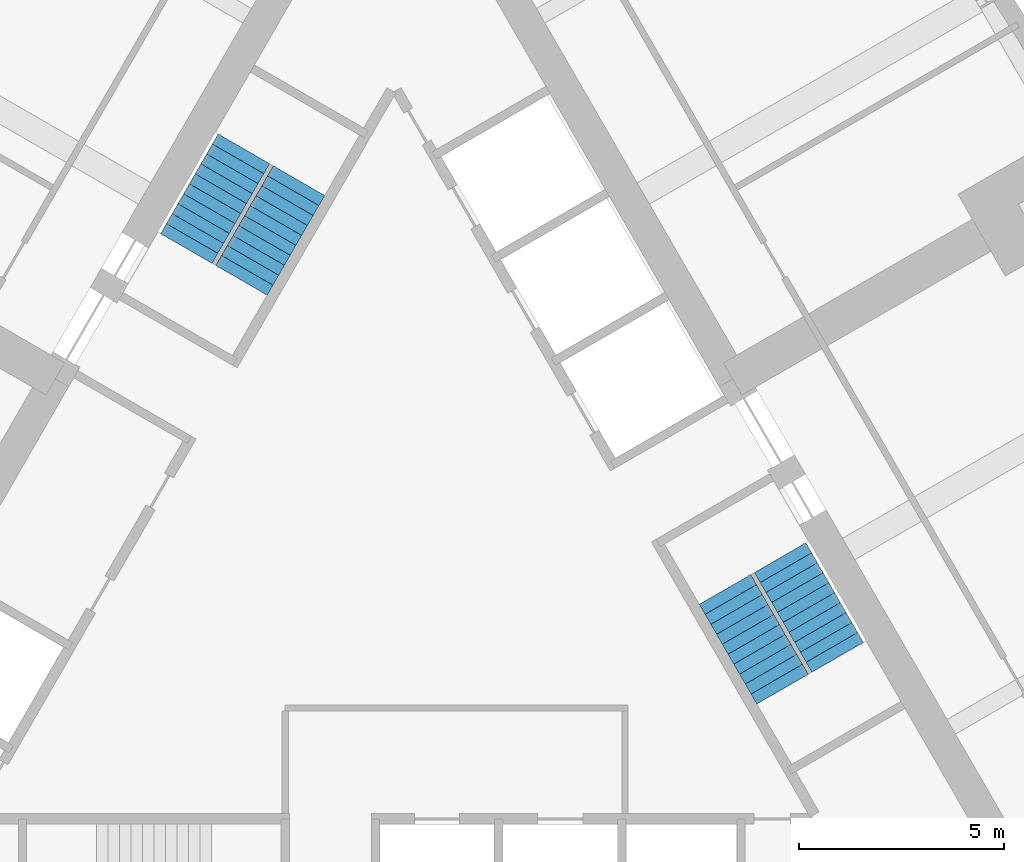
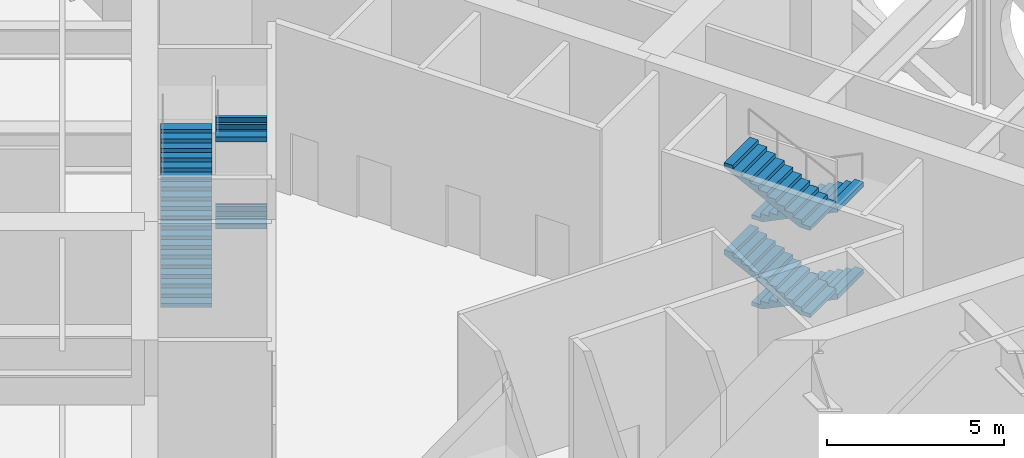
# One storey, part 6 of 7: 8 stair flights, 2 elements without a shape of their own.
"""IFC4 building model written with IfcOpenShell, lengths in metres."""

import ifcopenshell
import ifcopenshell.guid

model = None  # the IFC model being written
_history = None  # IfcOwnerHistory: only IFC2X3 demands one
_inside = {}  # id of a spatial element -> (the spatial element, [elements in it])
_under = {}  # id of a project, library or spatial element -> (it, [spatial elements below it])
_declared = {}  # id of a project -> (the project, [libraries it declares])
_typed = {}  # id of a type object -> (the type object, [elements of that type])
_made_of = {}  # id of a material, layer set ... -> (it, [elements and type objects made of it])


def new_model(schema):
    """Start an empty IFC model of exactly this schema.

    Asked for "IFC4X3", IfcOpenShell would pick the latest addendum, in which some entities
    have other attributes; the version numbers below select the first issue.
    IFC2X3 requires an IfcOwnerHistory on every rooted entity: one is made here for all.
    """
    global model, _history
    if schema == "IFC4X3":
        model = ifcopenshell.file(schema_version=(4, 3, 0, 0))
    else:
        model = ifcopenshell.file(schema=schema)
    _inside.clear()
    _under.clear()
    _declared.clear()
    _typed.clear()
    _made_of.clear()
    _history = None
    if model.schema == "IFC2X3":
        org = make("IfcOrganization", Name="unknown")
        user = make(
            "IfcPersonAndOrganization",
            ThePerson=make("IfcPerson", FamilyName="unknown"),
            TheOrganization=org,
        )
        app = make(
            "IfcApplication",
            ApplicationDeveloper=org,
            Version="unknown",
            ApplicationFullName="unknown",
            ApplicationIdentifier="unknown",
        )
        _history = make(
            "IfcOwnerHistory",
            OwningUser=user,
            OwningApplication=app,
            ChangeAction="ADDED",
            CreationDate=0,
        )
    return model


def make(cls, **values):
    """One entity of the class cls with the attributes given. An attribute that is None is left unset."""
    return model.create_entity(
        cls, **{name: value for name, value in values.items() if value is not None}
    )


def rooted(cls, **values):
    """An entity with a GlobalId (a new one), such as an element, a storey or a relation."""
    return make(cls, GlobalId=ifcopenshell.guid.new(), OwnerHistory=_history, **values)


def si_unit(unit_type, name, prefix=None):
    """IfcSIUnit, for example si_unit("LENGTHUNIT", "METRE", prefix="MILLI")."""
    return make("IfcSIUnit", UnitType=unit_type, Prefix=prefix, Name=name)


def assignment(units):
    """IfcUnitAssignment: the units of a project."""
    return None if units is None else make("IfcUnitAssignment", Units=units)


def point(xyz):
    """IfcCartesianPoint."""
    return None if xyz is None else make("IfcCartesianPoint", Coordinates=xyz)


def direction(xyz):
    """IfcDirection."""
    return None if xyz is None else make("IfcDirection", DirectionRatios=xyz)


def frame(location, z_axis=None, x_axis=None):
    """IfcAxis2Placement3D, a coordinate frame: its origin and axes. An axis left out is left unset."""
    return make(
        "IfcAxis2Placement3D",
        Location=point(location),
        Axis=direction(z_axis),
        RefDirection=direction(x_axis),
    )


def origin():
    """The frame at (0, 0, 0) with its axes left unset."""
    return frame((0.0, 0.0, 0.0))


def place(relative_to, where):
    """IfcLocalPlacement: puts the frame where relative to a parent placement (None: the world)."""
    return make(
        "IfcLocalPlacement", PlacementRelTo=relative_to, RelativePlacement=where
    )


def context(
    kind, dimensions, precision=None, world=None, true_north=None, identifier=None
):
    """IfcGeometricRepresentationContext, for example the 3D "Model" context."""
    return make(
        "IfcGeometricRepresentationContext",
        ContextIdentifier=identifier,
        ContextType=kind,
        CoordinateSpaceDimension=dimensions,
        Precision=precision,
        WorldCoordinateSystem=world,
        TrueNorth=true_north,
    )


def subcontext(parent, identifier, kind, view, scale=None):
    """IfcGeometricRepresentationSubContext, for example "Body" below "Model"."""
    return make(
        "IfcGeometricRepresentationSubContext",
        ContextIdentifier=identifier,
        ContextType=kind,
        ParentContext=parent,
        TargetScale=scale,
        TargetView=view,
    )


def project(units=None, contexts=None):
    """IfcProject with its units and contexts."""
    return rooted(
        "IfcProject",
        Name="project",
        RepresentationContexts=contexts,
        UnitsInContext=assignment(units),
    )


def spatial(cls, under=None, at=None, **own):
    """A site, building, storey or space (cls), placed at a placement, below another one or the project."""
    s = rooted(cls, ObjectPlacement=at, **own)
    if under is not None:
        _under.setdefault(under.id(), (under, []))[1].append(s)
    return s


def polyline(points):
    """IfcPolyline through the points."""
    return make("IfcPolyline", Points=[point(p) for p in points])


def outline(outer, holes=None, kind="AREA"):
    """IfcArbitraryClosedProfileDef: a profile drawn as a closed curve; with holes, ...WithVoids."""
    if holes is None:
        return make("IfcArbitraryClosedProfileDef", ProfileType=kind, OuterCurve=outer)
    return make(
        "IfcArbitraryProfileDefWithVoids",
        ProfileType=kind,
        OuterCurve=outer,
        InnerCurves=holes,
    )


def extrude(swept, where, along, depth):
    """IfcExtrudedAreaSolid: the profile swept, set in the frame where, extruded along a direction by depth."""
    return make(
        "IfcExtrudedAreaSolid",
        SweptArea=swept,
        Position=where,
        ExtrudedDirection=direction(along),
        Depth=depth,
    )


def shape(context_of_items, identifier, shape_type, items):
    """IfcShapeRepresentation: the items that make up one representation, for example the "Body"."""
    return make(
        "IfcShapeRepresentation",
        ContextOfItems=context_of_items,
        RepresentationIdentifier=identifier,
        RepresentationType=shape_type,
        Items=items,
    )


def material(Name=None, Category=None):
    """IfcMaterial."""
    return make("IfcMaterial", Name=Name, Category=Category)


def made_of(thing, what):
    """Note that an element or type object is made of a material, layer set ...; save() writes the relation."""
    if what is not None:
        _made_of.setdefault(what.id(), (what, []))[1].append(thing)
    return thing


def type_object(cls, material=None, **own):
    """A type object (cls), such as IfcWallType, which elements share."""
    return made_of(rooted(cls, **own), material)


def element(
    cls,
    number,
    at=None,
    inside=None,
    cuts=None,
    type_object=None,
    material=None,
    context=None,
    identifier="Body",
    shape_type=None,
    held_by="IfcProductDefinitionShape",
    body=None,
    shapes=None,
    **own,
):
    """One element of the class cls, such as IfcWall. Its Tag is "e" and its number.

    at: its placement. inside: the storey or other place that contains it. cuts: it is an
    opening in that element (IfcRelVoidsElement). A single representation is given by context,
    identifier, shape_type and body (its items); several are given by shapes. held_by: the class
    of the entity that holds the representations. save() writes the other relations.
    """
    e = rooted(cls, Tag="e%d" % number, ObjectPlacement=at, **own)
    if body is not None:
        shapes = [shape(context, identifier, shape_type, body)]
    if shapes is not None:
        e.Representation = make(held_by, Representations=shapes)
    if inside is not None:
        _inside.setdefault(inside.id(), (inside, []))[1].append(e)
    if cuts is not None:
        rooted(
            "IfcRelVoidsElement", RelatingBuildingElement=cuts, RelatedOpeningElement=e
        )
    if type_object is not None:
        _typed.setdefault(type_object.id(), (type_object, []))[1].append(e)
    return made_of(e, material)


def aggregate(whole, parts):
    """IfcRelAggregates: a whole, such as a stair, and the parts it consists of."""
    return rooted("IfcRelAggregates", RelatingObject=whole, RelatedObjects=parts)


def save(model, path):
    """Write the relations noted so far, then the file.

    IfcRelAggregates (storeys below a building ...), IfcRelContainedInSpatialStructure (elements
    in a storey), IfcRelDefinesByType, IfcRelAssociatesMaterial and IfcRelDeclares: one each for
    every whole, place, type object, material and project.
    """
    for whole, parts in _under.values():
        aggregate(whole, parts)
    for where, things in _inside.values():
        rooted(
            "IfcRelContainedInSpatialStructure",
            RelatedElements=things,
            RelatingStructure=where,
        )
    for kind, things in _typed.values():
        rooted("IfcRelDefinesByType", RelatedObjects=things, RelatingType=kind)
    for what, things in _made_of.values():
        rooted("IfcRelAssociatesMaterial", RelatedObjects=things, RelatingMaterial=what)
    for by, libraries in _declared.values():
        rooted("IfcRelDeclares", RelatingContext=by, RelatedDefinitions=libraries)
    model.write(path)


model = new_model("IFC4")

# Units and contexts
model_context = context("Model", 3, precision=1e-05, world=origin(), true_north=direction((0.0, 1.0)))
body_context = subcontext(model_context, "Body", "Model", "MODEL_VIEW")
ifc_project = project(units=[si_unit("LENGTHUNIT", "METRE"), si_unit("AREAUNIT", "SQUARE_METRE"), si_unit("VOLUMEUNIT", "CUBIC_METRE"), si_unit("PLANEANGLEUNIT", "RADIAN"), si_unit("MASSUNIT", "GRAM", prefix="KILO")], contexts=[model_context])

# Site, building, storey
site_placement = place(None, origin())
site = spatial("IfcSite", under=ifc_project, at=site_placement, CompositionType="ELEMENT")
building_placement = place(site_placement, origin())
building = spatial("IfcBuilding", under=site, at=building_placement, Name="Trikona Tower", CompositionType="ELEMENT")
storey_placement = place(building_placement, frame((0.0, 0.0, 233.300048828125)))
storey = spatial("IfcBuildingStorey", under=building, at=storey_placement, Name="L62", CompositionType="ELEMENT", Elevation=233.300048828125)

# Stair, stair flights
ifc_material_1 = material(Name="Concrete f'c 5000 psi", Category="concrete")
stair_type = type_object("IfcStairType", Name="Core stair", PredefinedType="HALF_TURN_STAIR", material=ifc_material_1)
stair_1_placement = place(storey_placement, origin())
stair_1 = element("IfcStair", 1, at=stair_1_placement, inside=storey, type_object=stair_type, Name="Stair B L62", PredefinedType="HALF_TURN_STAIR")
ifc_material_2 = material(Name="Concrete f'c 5000 psi", Category="concrete")
stair_flight_type = type_object("IfcStairFlightType", Name="Core stair flight 1450", PredefinedType="STRAIGHT", material=ifc_material_2)
stair_flight_1_placement = place(storey_placement, frame((9.407470703125, 0.408447265625, 0.0), z_axis=(0.0, 0.0, 1.0), x_axis=(0.5, -0.866025403784, 0.0)))
stair_flight_1 = element("IfcStairFlight", 2, at=stair_flight_1_placement, type_object=stair_flight_type, Name="ST-B flight 1", NumberOfRisers=11, NumberOfTreads=10, PredefinedType="STRAIGHT", RiserHeight=0.136364, TreadLength=0.28, context=body_context, shape_type="SweptSolid", body=[
    extrude(outline(polyline([(0.0, 0.0), (0.0, 0.136474609375), (0.280029296875, 0.136474609375), (0.280029296875, 0.272705078125), (0.56005859375, 0.272705078125), (0.56005859375, 0.4091796875), (0.840087890625, 0.4091796875), (0.840087890625, 0.54541015625), (1.1201171875, 0.54541015625), (1.1201171875, 0.681884765625), (1.39990234375, 0.681884765625), (1.39990234375, 0.818115234375), (1.679931640625, 0.818115234375), (1.679931640625, 0.95458984375), (1.9599609375, 0.95458984375), (1.9599609375, 1.0908203125), (2.239990234375, 1.0908203125), (2.239990234375, 1.227294921875), (2.52001953125, 1.227294921875), (2.52001953125, 1.363525390625), (2.800048828125, 1.363525390625), (2.800048828125, 1.5), (2.800048828125, 1.197021484375), (0.34228515625, 0.0), (0.0, 0.0)])), frame((0.0, 0.72509765625, 0.0), z_axis=(0.0, -1.0, 0.0), x_axis=(1.0, 0.0, 0.0)), (0.0, 0.0, 1.0), 1.449951171875),
])
stair_flight_2_placement = place(storey_placement, frame((9.465087890625, -2.79150390625, 1.5), z_axis=(0.0, 0.0, 1.0), x_axis=(-0.5, 0.866025403784, 0.0)))
stair_flight_2 = element("IfcStairFlight", 3, at=stair_flight_2_placement, type_object=stair_flight_type, Name="ST-B flight 2", NumberOfRisers=11, NumberOfTreads=10, PredefinedType="STRAIGHT", RiserHeight=0.136364, TreadLength=0.28, context=body_context, shape_type="SweptSolid", body=[
    extrude(outline(polyline([(0.0, 0.0), (0.0, 0.136474609375), (0.280029296875, 0.136474609375), (0.280029296875, 0.272705078125), (0.56005859375, 0.272705078125), (0.56005859375, 0.4091796875), (0.840087890625, 0.4091796875), (0.840087890625, 0.54541015625), (1.1201171875, 0.54541015625), (1.1201171875, 0.681884765625), (1.39990234375, 0.681884765625), (1.39990234375, 0.818115234375), (1.679931640625, 0.818115234375), (1.679931640625, 0.95458984375), (1.9599609375, 0.95458984375), (1.9599609375, 1.0908203125), (2.239990234375, 1.0908203125), (2.239990234375, 1.227294921875), (2.52001953125, 1.227294921875), (2.52001953125, 1.363525390625), (2.800048828125, 1.363525390625), (2.800048828125, 1.5), (2.800048828125, 1.197021484375), (0.34228515625, 0.0), (0.0, 0.0)])), frame((0.0, 0.72509765625, 0.0), z_axis=(0.0, -1.0, 0.0), x_axis=(1.0, 0.0, 0.0)), (0.0, 0.0, 1.0), 1.449951171875),
])
stair_flight_3_placement = place(storey_placement, frame((9.407470703125, 0.408447265625, 3.0), z_axis=(0.0, 0.0, 1.0), x_axis=(0.5, -0.866025403784, 0.0)))
stair_flight_3 = element("IfcStairFlight", 4, at=stair_flight_3_placement, type_object=stair_flight_type, Name="ST-B flight 3", NumberOfRisers=11, NumberOfTreads=10, PredefinedType="STRAIGHT", RiserHeight=0.136364, TreadLength=0.28, context=body_context, shape_type="SweptSolid", body=[
    extrude(outline(polyline([(0.0, 0.0), (0.0, 0.136474609375), (0.280029296875, 0.136474609375), (0.280029296875, 0.272705078125), (0.56005859375, 0.272705078125), (0.56005859375, 0.4091796875), (0.840087890625, 0.4091796875), (0.840087890625, 0.54541015625), (1.1201171875, 0.54541015625), (1.1201171875, 0.681884765625), (1.39990234375, 0.681884765625), (1.39990234375, 0.818115234375), (1.679931640625, 0.818115234375), (1.679931640625, 0.95458984375), (1.9599609375, 0.95458984375), (1.9599609375, 1.0908203125), (2.239990234375, 1.0908203125), (2.239990234375, 1.227294921875), (2.52001953125, 1.227294921875), (2.52001953125, 1.363525390625), (2.800048828125, 1.363525390625), (2.800048828125, 1.5), (2.800048828125, 1.197021484375), (0.34228515625, 0.0), (0.0, 0.0)])), frame((0.0, 0.72509765625, 0.0), z_axis=(0.0, -1.0, 0.0), x_axis=(1.0, 0.0, 0.0)), (0.0, 0.0, 1.0), 1.449951171875),
])
stair_flight_4_placement = place(storey_placement, frame((9.465087890625, -2.79150390625, 4.5), z_axis=(0.0, 0.0, 1.0), x_axis=(-0.5, 0.866025403784, 0.0)))
stair_flight_4 = element("IfcStairFlight", 5, at=stair_flight_4_placement, type_object=stair_flight_type, Name="ST-B flight 4", NumberOfRisers=11, NumberOfTreads=10, PredefinedType="STRAIGHT", RiserHeight=0.136364, TreadLength=0.28, context=body_context, shape_type="SweptSolid", body=[
    extrude(outline(polyline([(0.0, 0.0), (0.0, 0.136474609375), (0.280029296875, 0.136474609375), (0.280029296875, 0.272705078125), (0.56005859375, 0.272705078125), (0.56005859375, 0.4091796875), (0.840087890625, 0.4091796875), (0.840087890625, 0.54541015625), (1.1201171875, 0.54541015625), (1.1201171875, 0.681884765625), (1.39990234375, 0.681884765625), (1.39990234375, 0.818115234375), (1.679931640625, 0.818115234375), (1.679931640625, 0.95458984375), (1.9599609375, 0.95458984375), (1.9599609375, 1.0908203125), (2.239990234375, 1.0908203125), (2.239990234375, 1.227294921875), (2.52001953125, 1.227294921875), (2.52001953125, 1.363525390625), (2.800048828125, 1.363525390625), (2.800048828125, 1.5), (2.800048828125, 1.197021484375), (0.34228515625, 0.0), (0.0, 0.0)])), frame((0.0, 0.72509765625, 0.0), z_axis=(0.0, -1.0, 0.0), x_axis=(1.0, 0.0, 0.0)), (0.0, 0.0, 1.0), 1.449951171875),
])
aggregate(stair_1, [stair_flight_1, stair_flight_2, stair_flight_3, stair_flight_4])

stair_2_placement = place(storey_placement, origin())
stair_2 = element("IfcStair", 6, at=stair_2_placement, inside=storey, type_object=stair_type, Name="Stair C L62", PredefinedType="HALF_TURN_STAIR")
stair_flight_5_placement = place(storey_placement, frame((-5.057373046875, 7.94287109375, 0.0), z_axis=(0.0, 0.0, 1.0), x_axis=(0.5, 0.866025403784, 0.0)))
stair_flight_5 = element("IfcStairFlight", 7, at=stair_flight_5_placement, type_object=stair_flight_type, Name="ST-C flight 1", NumberOfRisers=11, NumberOfTreads=10, PredefinedType="STRAIGHT", RiserHeight=0.136364, TreadLength=0.28, context=body_context, shape_type="SweptSolid", body=[
    extrude(outline(polyline([(0.0, 0.0), (0.0, 0.136474609375), (0.280029296875, 0.136474609375), (0.280029296875, 0.272705078125), (0.56005859375, 0.272705078125), (0.56005859375, 0.4091796875), (0.840087890625, 0.4091796875), (0.840087890625, 0.54541015625), (1.1201171875, 0.54541015625), (1.1201171875, 0.681884765625), (1.39990234375, 0.681884765625), (1.39990234375, 0.818115234375), (1.679931640625, 0.818115234375), (1.679931640625, 0.95458984375), (1.9599609375, 0.95458984375), (1.9599609375, 1.0908203125), (2.239990234375, 1.0908203125), (2.239990234375, 1.227294921875), (2.52001953125, 1.227294921875), (2.52001953125, 1.363525390625), (2.800048828125, 1.363525390625), (2.800048828125, 1.5), (2.800048828125, 1.197021484375), (0.34228515625, 0.0), (0.0, 0.0)])), frame((0.0, 0.72509765625, 0.0), z_axis=(0.0, -1.0, 0.0), x_axis=(1.0, 0.0, 0.0)), (0.0, 0.0, 1.0), 1.449951171875),
])
stair_flight_6_placement = place(storey_placement, frame((-2.315185546875, 9.5927734375, 1.5), z_axis=(0.0, 0.0, 1.0), x_axis=(-0.5, -0.866025403784, 0.0)))
stair_flight_6 = element("IfcStairFlight", 8, at=stair_flight_6_placement, type_object=stair_flight_type, Name="ST-C flight 2", NumberOfRisers=11, NumberOfTreads=10, PredefinedType="STRAIGHT", RiserHeight=0.136364, TreadLength=0.28, context=body_context, shape_type="SweptSolid", body=[
    extrude(outline(polyline([(0.0, 0.0), (0.0, 0.136474609375), (0.280029296875, 0.136474609375), (0.280029296875, 0.272705078125), (0.56005859375, 0.272705078125), (0.56005859375, 0.4091796875), (0.840087890625, 0.4091796875), (0.840087890625, 0.54541015625), (1.1201171875, 0.54541015625), (1.1201171875, 0.681884765625), (1.39990234375, 0.681884765625), (1.39990234375, 0.818115234375), (1.679931640625, 0.818115234375), (1.679931640625, 0.95458984375), (1.9599609375, 0.95458984375), (1.9599609375, 1.0908203125), (2.239990234375, 1.0908203125), (2.239990234375, 1.227294921875), (2.52001953125, 1.227294921875), (2.52001953125, 1.363525390625), (2.800048828125, 1.363525390625), (2.800048828125, 1.5), (2.800048828125, 1.197021484375), (0.34228515625, 0.0), (0.0, 0.0)])), frame((0.0, 0.72509765625, 0.0), z_axis=(0.0, -1.0, 0.0), x_axis=(1.0, 0.0, 0.0)), (0.0, 0.0, 1.0), 1.449951171875),
])
stair_flight_7_placement = place(storey_placement, frame((-5.057373046875, 7.94287109375, 3.0), z_axis=(0.0, 0.0, 1.0), x_axis=(0.5, 0.866025403784, 0.0)))
stair_flight_7 = element("IfcStairFlight", 9, at=stair_flight_7_placement, type_object=stair_flight_type, Name="ST-C flight 3", NumberOfRisers=11, NumberOfTreads=10, PredefinedType="STRAIGHT", RiserHeight=0.136364, TreadLength=0.28, context=body_context, shape_type="SweptSolid", body=[
    extrude(outline(polyline([(0.0, 0.0), (0.0, 0.136474609375), (0.280029296875, 0.136474609375), (0.280029296875, 0.272705078125), (0.56005859375, 0.272705078125), (0.56005859375, 0.4091796875), (0.840087890625, 0.4091796875), (0.840087890625, 0.54541015625), (1.1201171875, 0.54541015625), (1.1201171875, 0.681884765625), (1.39990234375, 0.681884765625), (1.39990234375, 0.818115234375), (1.679931640625, 0.818115234375), (1.679931640625, 0.95458984375), (1.9599609375, 0.95458984375), (1.9599609375, 1.0908203125), (2.239990234375, 1.0908203125), (2.239990234375, 1.227294921875), (2.52001953125, 1.227294921875), (2.52001953125, 1.363525390625), (2.800048828125, 1.363525390625), (2.800048828125, 1.5), (2.800048828125, 1.197021484375), (0.34228515625, 0.0), (0.0, 0.0)])), frame((0.0, 0.72509765625, 0.0), z_axis=(0.0, -1.0, 0.0), x_axis=(1.0, 0.0, 0.0)), (0.0, 0.0, 1.0), 1.449951171875),
])
stair_flight_8_placement = place(storey_placement, frame((-2.315185546875, 9.5927734375, 4.5), z_axis=(0.0, 0.0, 1.0), x_axis=(-0.5, -0.866025403784, 0.0)))
stair_flight_8 = element("IfcStairFlight", 10, at=stair_flight_8_placement, type_object=stair_flight_type, Name="ST-C flight 4", NumberOfRisers=11, NumberOfTreads=10, PredefinedType="STRAIGHT", RiserHeight=0.136364, TreadLength=0.28, context=body_context, shape_type="SweptSolid", body=[
    extrude(outline(polyline([(0.0, 0.0), (0.0, 0.136474609375), (0.280029296875, 0.136474609375), (0.280029296875, 0.272705078125), (0.56005859375, 0.272705078125), (0.56005859375, 0.4091796875), (0.840087890625, 0.4091796875), (0.840087890625, 0.54541015625), (1.1201171875, 0.54541015625), (1.1201171875, 0.681884765625), (1.39990234375, 0.681884765625), (1.39990234375, 0.818115234375), (1.679931640625, 0.818115234375), (1.679931640625, 0.95458984375), (1.9599609375, 0.95458984375), (1.9599609375, 1.0908203125), (2.239990234375, 1.0908203125), (2.239990234375, 1.227294921875), (2.52001953125, 1.227294921875), (2.52001953125, 1.363525390625), (2.800048828125, 1.363525390625), (2.800048828125, 1.5), (2.800048828125, 1.197021484375), (0.34228515625, 0.0), (0.0, 0.0)])), frame((0.0, 0.72509765625, 0.0), z_axis=(0.0, -1.0, 0.0), x_axis=(1.0, 0.0, 0.0)), (0.0, 0.0, 1.0), 1.449951171875),
])
aggregate(stair_2, [stair_flight_5, stair_flight_6, stair_flight_7, stair_flight_8])

save(model, "model.ifc")
